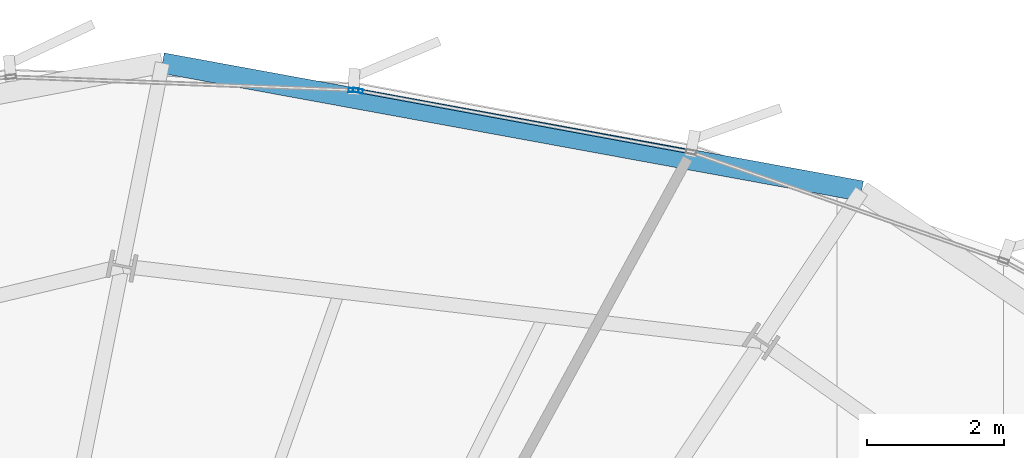
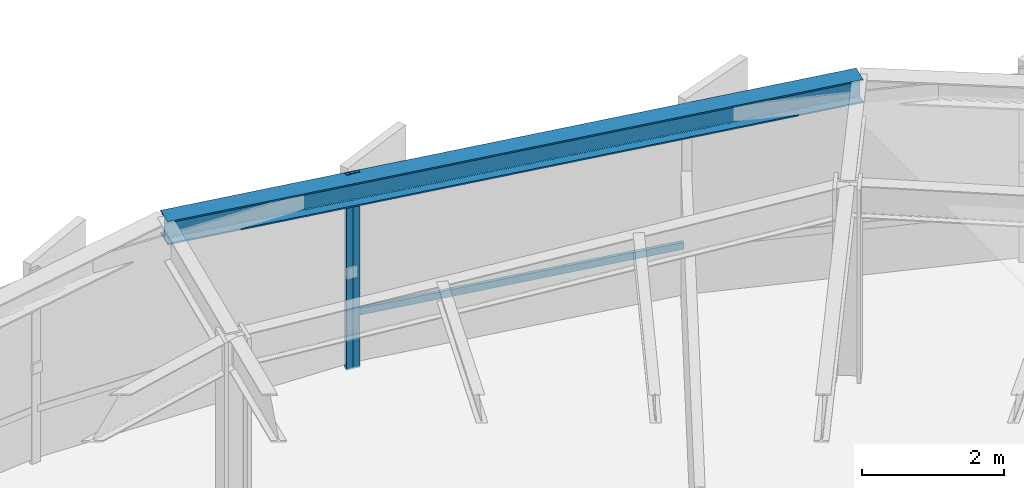
# One storey, part 27 of 35: 3 members, 1 beam, 2 elements without a shape of their own.
"""IFC4 building model written with IfcOpenShell, lengths in metres."""

from ifc_helpers import new_model, si_unit, direction, frame, origin, origin_2d, place, context, subcontext, project, spatial, hollow_rectangle, i_section, extrude, source, transform, mapped, material, layer, layer_set, material_profile, profile_set, type_object, element, aggregate, save


model = new_model("IFC4")

# Units and contexts
model_context = context("Model", 3, precision=1e-05, world=origin(), true_north=direction((0.0, 1.0)))
body_context = subcontext(model_context, "Body", "Model", "MODEL_VIEW")
ifc_project = project(units=[si_unit("LENGTHUNIT", "METRE"), si_unit("AREAUNIT", "SQUARE_METRE"), si_unit("VOLUMEUNIT", "CUBIC_METRE"), si_unit("PLANEANGLEUNIT", "RADIAN"), si_unit("MASSUNIT", "GRAM", prefix="KILO"), si_unit("THERMODYNAMICTEMPERATUREUNIT", "KELVIN")], contexts=[model_context])

# Site, building, storey
site_placement = place(None, origin())
site = spatial("IfcSite", under=ifc_project, at=site_placement, CompositionType="ELEMENT")
building_placement = place(site_placement, origin())
building = spatial("IfcBuilding", under=site, at=building_placement, Name="Kethvar Cultural Tower", CompositionType="ELEMENT")
storey_placement = place(building_placement, frame((0.0, 0.0, 107.199951171875)))
storey = spatial("IfcBuildingStorey", under=building, at=storey_placement, Name="L26", CompositionType="ELEMENT", Elevation=107.199951171875)

# Beam
ifc_material_1 = material(Name="Steel S355J2", Category="steel")
ifc_material_profile_1 = material_profile(ifc_material_1, i_section(OverallWidth=0.300048828125, OverallDepth=0.39990234375, WebThickness=0.013427734375, FlangeThickness=0.02392578125, FilletRadius=0.027099609375, at=origin_2d()), Name="Steel S355J2 — HEB400")
ifc_profile_set_1 = profile_set([ifc_material_profile_1], Name="Steel S355J2 — HEB400")
beam_type = type_object("IfcBeamType", Name="BM-SP400", PredefinedType="SPANDREL", material=ifc_profile_set_1)
shared_shape_1 = source(origin(), body_context, "Body", "SweptSolid", [
    extrude(i_section(OverallWidth=0.300048828125, OverallDepth=0.39990234375, WebThickness=0.013427734375, FlangeThickness=0.02392578125, FilletRadius=0.027099609375, at=origin_2d()), origin(), (0.0, 0.0, 1.0), 10.38232421875),
])
beam_placement = place(storey_placement, frame((61.870849609375, 50.35498046875, 3.14794921875), z_axis=(-0.983643380162, 0.180126901555, 0.0), x_axis=(-0.180126901555, -0.983643380162, 0.0)))
element("IfcBeam", 1, at=beam_placement, inside=storey, type_object=beam_type, Name="L26 Perimeter Spandrel Beam SP-03", PredefinedType="SPANDREL", context=body_context, shape_type="MappedRepresentation", body=[
    mapped(shared_shape_1, transform((0.0, 0.0, 0.0), scale=1.0)),
])

# Curtain wall, member
ifc_material_2 = material(Name="Aluminium 6063-T6", Category="aluminium")
ifc_layer = layer(ifc_material_2, 0.179931640625, Name="Aluminium 6063-T6", Category="aluminium")
ifc_layer_set = layer_set([ifc_layer], Name="Aluminium 6063-T6 (180 mm)")
curtain_wall_type = type_object("IfcCurtainWallType", Name="CW-SYS-03-Z2", PredefinedType="NOTDEFINED", material=ifc_layer_set)
curtain_wall_1_placement = place(storey_placement, origin())
curtain_wall_1 = element("IfcCurtainWall", 2, at=curtain_wall_1_placement, inside=storey, type_object=curtain_wall_type, Name="L26 Curtain Wall Run 01", PredefinedType="NOTDEFINED")
ifc_material_profile_2 = material_profile(ifc_material_2, hollow_rectangle(XDim=0.06005859375, YDim=0.14990234375, WallThickness=0.0048828125, at=origin_2d()), Name="Aluminium 6063-T6 — RHS150x60x5")
ifc_profile_set_2 = profile_set([ifc_material_profile_2], Name="Aluminium 6063-T6 — RHS150x60x5")
member_type_1 = type_object("IfcMemberType", Name="CW-SYS-03-Z2-MUL", PredefinedType="MULLION", material=ifc_profile_set_2)
shared_shape_2 = source(origin(), body_context, "Body", "SweptSolid", [
    extrude(hollow_rectangle(XDim=0.06005859375, YDim=0.14990234375, WallThickness=0.0048828125, at=origin_2d()), origin(), (0.0, 0.0, 1.0), 3.35009765625),
])
member_1_placement = place(storey_placement, frame((54.5126953125, 51.822021484375, 0.0), z_axis=(0.0, 0.0, 1.0), x_axis=(-0.181257256449, -0.983435715736, 0.0)))
member_1 = element("IfcMember", 3, at=member_1_placement, type_object=member_type_1, Name="CW-L26-R01 Mullion 7", PredefinedType="MULLION", context=body_context, shape_type="MappedRepresentation", body=[
    mapped(shared_shape_2, transform((0.0, 0.0, 0.0), scale=1.0)),
])

curtain_wall_2_placement = place(storey_placement, origin())
curtain_wall_2 = element("IfcCurtainWall", 4, at=curtain_wall_2_placement, inside=storey, type_object=curtain_wall_type, Name="L26 Curtain Wall Run 02", PredefinedType="NOTDEFINED")
member_2_placement = place(storey_placement, frame((54.45166015625, 51.828857421875, 0.0), z_axis=(0.0, 0.0, 1.0), x_axis=(-0.038736615301, -0.999249455659, 0.0)))
member_2 = element("IfcMember", 5, at=member_2_placement, type_object=member_type_1, Name="CW-L26-R02 Mullion 1", PredefinedType="MULLION", context=body_context, shape_type="MappedRepresentation", body=[
    mapped(shared_shape_2, transform((0.0, 0.0, 0.0), scale=1.0)),
])
aggregate(curtain_wall_2, [member_2])

# Member
ifc_material_profile_3 = material_profile(ifc_material_2, hollow_rectangle(XDim=0.054931640625, YDim=0.1201171875, WallThickness=0.00390625, at=origin_2d()), Name="Aluminium 6063-T6 — RHS120x55x4")
ifc_profile_set_3 = profile_set([ifc_material_profile_3], Name="Aluminium 6063-T6 — RHS120x55x4")
member_type_2 = type_object("IfcMemberType", Name="CW-SYS-03-Z2-TRN", PredefinedType="USERDEFINED", material=ifc_profile_set_3)
shared_shape_3 = source(origin(), body_context, "Body", "SweptSolid", [
    extrude(hollow_rectangle(XDim=0.054931640625, YDim=0.1201171875, WallThickness=0.00390625, at=origin_2d()), origin(), (0.0, 0.0, 1.0), 4.903076171875),
])
member_3_placement = place(storey_placement, frame((59.33837890625, 50.9326171875, 0.949951171875), z_axis=(-0.983436842195, 0.181251144587, 0.0), x_axis=(-0.181251144587, -0.983436842195, 0.0)))
member_3 = element("IfcMember", 6, at=member_3_placement, type_object=member_type_2, Name="CW-L26-R01 Transom 6", ObjectType="TRANSOM", PredefinedType="USERDEFINED", context=body_context, shape_type="MappedRepresentation", body=[
    mapped(shared_shape_3, transform((0.0, 0.0, 0.0), scale=1.0)),
])

aggregate(curtain_wall_1, [member_1, member_3])

save(model, "model.ifc")
